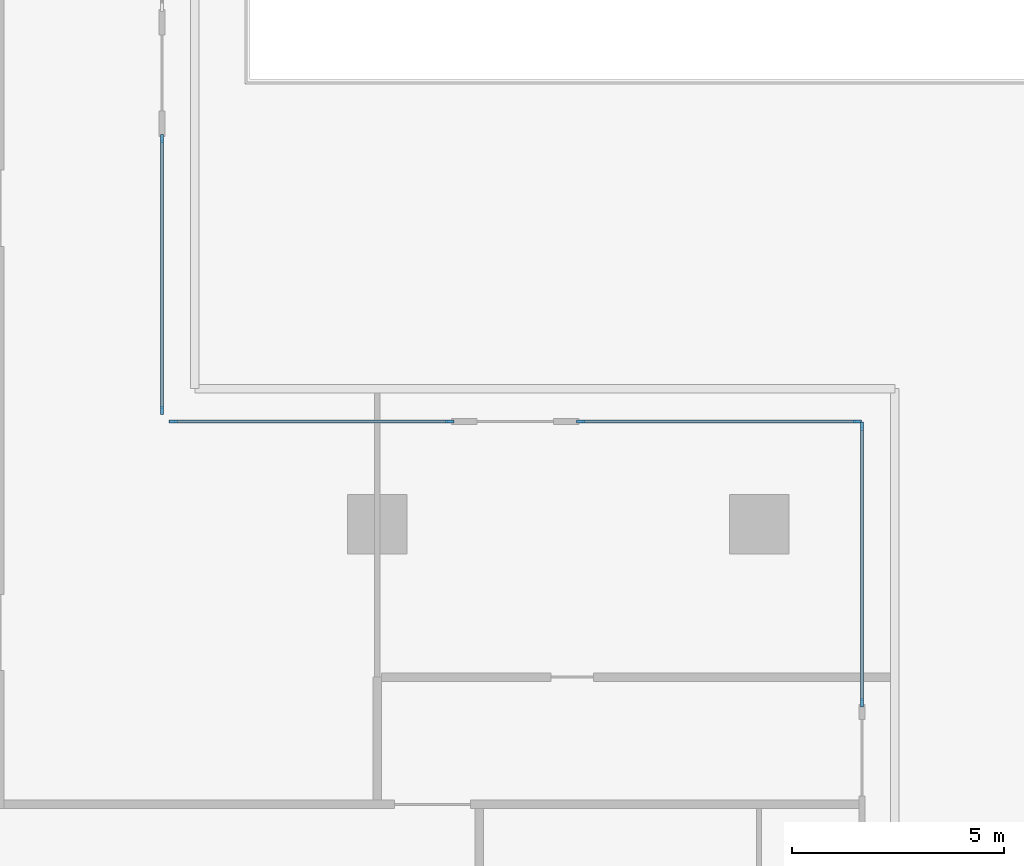
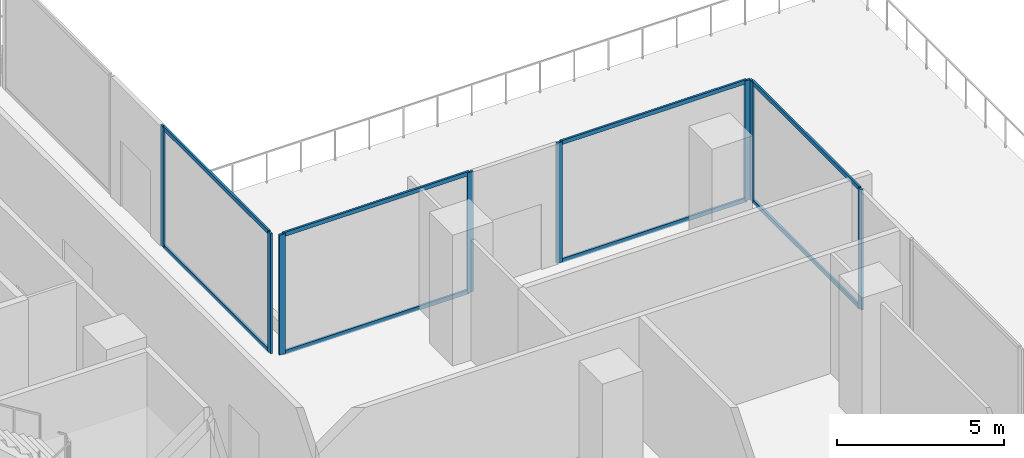
# One storey, part 6 of 25: 16 members, 4 elements without a shape of their own.
"""IFC4 building model written with IfcOpenShell, lengths in metres."""

import ifcopenshell
import ifcopenshell.guid

model = None  # the IFC model being written
_history = None  # IfcOwnerHistory: only IFC2X3 demands one
_inside = {}  # id of a spatial element -> (the spatial element, [elements in it])
_under = {}  # id of a project, library or spatial element -> (it, [spatial elements below it])
_declared = {}  # id of a project -> (the project, [libraries it declares])
_typed = {}  # id of a type object -> (the type object, [elements of that type])
_made_of = {}  # id of a material, layer set ... -> (it, [elements and type objects made of it])


def new_model(schema):
    """Start an empty IFC model of exactly this schema.

    Asked for "IFC4X3", IfcOpenShell would pick the latest addendum, in which some entities
    have other attributes; the version numbers below select the first issue.
    IFC2X3 requires an IfcOwnerHistory on every rooted entity: one is made here for all.
    """
    global model, _history
    if schema == "IFC4X3":
        model = ifcopenshell.file(schema_version=(4, 3, 0, 0))
    else:
        model = ifcopenshell.file(schema=schema)
    _inside.clear()
    _under.clear()
    _declared.clear()
    _typed.clear()
    _made_of.clear()
    _history = None
    if model.schema == "IFC2X3":
        org = make("IfcOrganization", Name="unknown")
        user = make(
            "IfcPersonAndOrganization",
            ThePerson=make("IfcPerson", FamilyName="unknown"),
            TheOrganization=org,
        )
        app = make(
            "IfcApplication",
            ApplicationDeveloper=org,
            Version="unknown",
            ApplicationFullName="unknown",
            ApplicationIdentifier="unknown",
        )
        _history = make(
            "IfcOwnerHistory",
            OwningUser=user,
            OwningApplication=app,
            ChangeAction="ADDED",
            CreationDate=0,
        )
    return model


def make(cls, **values):
    """One entity of the class cls with the attributes given. An attribute that is None is left unset."""
    return model.create_entity(
        cls, **{name: value for name, value in values.items() if value is not None}
    )


def rooted(cls, **values):
    """An entity with a GlobalId (a new one), such as an element, a storey or a relation."""
    return make(cls, GlobalId=ifcopenshell.guid.new(), OwnerHistory=_history, **values)


def si_unit(unit_type, name, prefix=None):
    """IfcSIUnit, for example si_unit("LENGTHUNIT", "METRE", prefix="MILLI")."""
    return make("IfcSIUnit", UnitType=unit_type, Prefix=prefix, Name=name)


def assignment(units):
    """IfcUnitAssignment: the units of a project."""
    return None if units is None else make("IfcUnitAssignment", Units=units)


def point(xyz):
    """IfcCartesianPoint."""
    return None if xyz is None else make("IfcCartesianPoint", Coordinates=xyz)


def direction(xyz):
    """IfcDirection."""
    return None if xyz is None else make("IfcDirection", DirectionRatios=xyz)


def frame(location, z_axis=None, x_axis=None):
    """IfcAxis2Placement3D, a coordinate frame: its origin and axes. An axis left out is left unset."""
    return make(
        "IfcAxis2Placement3D",
        Location=point(location),
        Axis=direction(z_axis),
        RefDirection=direction(x_axis),
    )


def frame_2d(location, x_axis=None):
    """IfcAxis2Placement2D, a coordinate frame in the plane: its origin and x axis."""
    return make(
        "IfcAxis2Placement2D", Location=point(location), RefDirection=direction(x_axis)
    )


def origin():
    """The frame at (0, 0, 0) with its axes left unset."""
    return frame((0.0, 0.0, 0.0))


def origin_2d():
    """The frame at (0, 0) in the plane with its x axis left unset."""
    return frame_2d((0.0, 0.0))


def place(relative_to, where):
    """IfcLocalPlacement: puts the frame where relative to a parent placement (None: the world)."""
    return make(
        "IfcLocalPlacement", PlacementRelTo=relative_to, RelativePlacement=where
    )


def context(
    kind, dimensions, precision=None, world=None, true_north=None, identifier=None
):
    """IfcGeometricRepresentationContext, for example the 3D "Model" context."""
    return make(
        "IfcGeometricRepresentationContext",
        ContextIdentifier=identifier,
        ContextType=kind,
        CoordinateSpaceDimension=dimensions,
        Precision=precision,
        WorldCoordinateSystem=world,
        TrueNorth=true_north,
    )


def subcontext(parent, identifier, kind, view, scale=None):
    """IfcGeometricRepresentationSubContext, for example "Body" below "Model"."""
    return make(
        "IfcGeometricRepresentationSubContext",
        ContextIdentifier=identifier,
        ContextType=kind,
        ParentContext=parent,
        TargetScale=scale,
        TargetView=view,
    )


def project(units=None, contexts=None):
    """IfcProject with its units and contexts."""
    return rooted(
        "IfcProject",
        Name="project",
        RepresentationContexts=contexts,
        UnitsInContext=assignment(units),
    )


def spatial(cls, under=None, at=None, **own):
    """A site, building, storey or space (cls), placed at a placement, below another one or the project."""
    s = rooted(cls, ObjectPlacement=at, **own)
    if under is not None:
        _under.setdefault(under.id(), (under, []))[1].append(s)
    return s


def profile(cls, at=None, kind="AREA", **sizes):
    """A parametric profile (cls). Its sizes go by their IFC names, for example OverallWidth=200.0."""
    return make(cls, ProfileType=kind, Position=at, **sizes)


def rectangle(**sizes):
    """IfcRectangleProfileDef."""
    return profile("IfcRectangleProfileDef", **sizes)


def extrude(swept, where, along, depth):
    """IfcExtrudedAreaSolid: the profile swept, set in the frame where, extruded along a direction by depth."""
    return make(
        "IfcExtrudedAreaSolid",
        SweptArea=swept,
        Position=where,
        ExtrudedDirection=direction(along),
        Depth=depth,
    )


def shape(context_of_items, identifier, shape_type, items):
    """IfcShapeRepresentation: the items that make up one representation, for example the "Body"."""
    return make(
        "IfcShapeRepresentation",
        ContextOfItems=context_of_items,
        RepresentationIdentifier=identifier,
        RepresentationType=shape_type,
        Items=items,
    )


def material(Name=None, Category=None):
    """IfcMaterial."""
    return make("IfcMaterial", Name=Name, Category=Category)


def layer(
    of_material, thickness, ventilated=None, Name=None, Category=None, Priority=None
):
    """IfcMaterialLayer: one layer of a wall or slab, of a material (None: an air gap)."""
    return make(
        "IfcMaterialLayer",
        Material=of_material,
        LayerThickness=thickness,
        IsVentilated=ventilated,
        Name=Name,
        Category=Category,
        Priority=Priority,
    )


def layer_set(layers, Name=None):
    """IfcMaterialLayerSet."""
    return make("IfcMaterialLayerSet", MaterialLayers=layers, LayerSetName=Name)


def material_profile(
    of_material, cross_section, Name=None, Category=None, Priority=None
):
    """IfcMaterialProfile: a cross section and its material."""
    return make(
        "IfcMaterialProfile",
        Name=Name,
        Material=of_material,
        Profile=cross_section,
        Priority=Priority,
        Category=Category,
    )


def profile_set(profiles, Name=None, composite=None):
    """IfcMaterialProfileSet."""
    return make(
        "IfcMaterialProfileSet",
        Name=Name,
        MaterialProfiles=profiles,
        CompositeProfile=composite,
    )


def made_of(thing, what):
    """Note that an element or type object is made of a material, layer set ...; save() writes the relation."""
    if what is not None:
        _made_of.setdefault(what.id(), (what, []))[1].append(thing)
    return thing


def type_object(cls, material=None, **own):
    """A type object (cls), such as IfcWallType, which elements share."""
    return made_of(rooted(cls, **own), material)


def element(
    cls,
    number,
    at=None,
    inside=None,
    cuts=None,
    type_object=None,
    material=None,
    context=None,
    identifier="Body",
    shape_type=None,
    held_by="IfcProductDefinitionShape",
    body=None,
    shapes=None,
    **own,
):
    """One element of the class cls, such as IfcWall. Its Tag is "e" and its number.

    at: its placement. inside: the storey or other place that contains it. cuts: it is an
    opening in that element (IfcRelVoidsElement). A single representation is given by context,
    identifier, shape_type and body (its items); several are given by shapes. held_by: the class
    of the entity that holds the representations. save() writes the other relations.
    """
    e = rooted(cls, Tag="e%d" % number, ObjectPlacement=at, **own)
    if body is not None:
        shapes = [shape(context, identifier, shape_type, body)]
    if shapes is not None:
        e.Representation = make(held_by, Representations=shapes)
    if inside is not None:
        _inside.setdefault(inside.id(), (inside, []))[1].append(e)
    if cuts is not None:
        rooted(
            "IfcRelVoidsElement", RelatingBuildingElement=cuts, RelatedOpeningElement=e
        )
    if type_object is not None:
        _typed.setdefault(type_object.id(), (type_object, []))[1].append(e)
    return made_of(e, material)


def aggregate(whole, parts):
    """IfcRelAggregates: a whole, such as a stair, and the parts it consists of."""
    return rooted("IfcRelAggregates", RelatingObject=whole, RelatedObjects=parts)


def save(model, path):
    """Write the relations noted so far, then the file.

    IfcRelAggregates (storeys below a building ...), IfcRelContainedInSpatialStructure (elements
    in a storey), IfcRelDefinesByType, IfcRelAssociatesMaterial and IfcRelDeclares: one each for
    every whole, place, type object, material and project.
    """
    for whole, parts in _under.values():
        aggregate(whole, parts)
    for where, things in _inside.values():
        rooted(
            "IfcRelContainedInSpatialStructure",
            RelatedElements=things,
            RelatingStructure=where,
        )
    for kind, things in _typed.values():
        rooted("IfcRelDefinesByType", RelatedObjects=things, RelatingType=kind)
    for what, things in _made_of.values():
        rooted("IfcRelAssociatesMaterial", RelatedObjects=things, RelatingMaterial=what)
    for by, libraries in _declared.values():
        rooted("IfcRelDeclares", RelatingContext=by, RelatedDefinitions=libraries)
    model.write(path)


model = new_model("IFC4")

# Units and contexts
model_context = context("Model", 3, precision=1e-05, world=origin(), true_north=direction((0.0, 1.0)))
body_context = subcontext(model_context, "Body", "Model", "MODEL_VIEW")
ifc_project = project(units=[si_unit("LENGTHUNIT", "METRE"), si_unit("AREAUNIT", "SQUARE_METRE"), si_unit("VOLUMEUNIT", "CUBIC_METRE"), si_unit("PLANEANGLEUNIT", "RADIAN"), si_unit("MASSUNIT", "GRAM", prefix="KILO")], contexts=[model_context])

# Site, building, storey
site_placement = place(None, origin())
site = spatial("IfcSite", under=ifc_project, at=site_placement, CompositionType="ELEMENT")
building_placement = place(site_placement, origin())
building = spatial("IfcBuilding", under=site, at=building_placement, Name="Chenar Terraces", CompositionType="ELEMENT")
storey_placement = place(building_placement, frame((0.0, 0.0, 21.60009765625)))
storey = spatial("IfcBuildingStorey", under=building, at=storey_placement, Name="L04", CompositionType="ELEMENT", Elevation=21.60009765625)

# Curtain wall, members
ifc_material_1 = material(Name="Aluminium framed glazing", Category="aluminium")
ifc_layer = layer(ifc_material_1, 0.14990234375)
ifc_layer_set = layer_set([ifc_layer], Name="Aluminium framed glazing")
curtain_wall_type = type_object("IfcCurtainWallType", Name="School curtain wall", PredefinedType="NOTDEFINED", material=ifc_layer_set)
placement = place(storey_placement, origin())
curtain_wall_1 = element("IfcCurtainWall", 1, at=placement, inside=storey, type_object=curtain_wall_type, Name="School curtain wall", PredefinedType="NOTDEFINED")
ifc_material_2 = material(Name="Aluminium", Category="aluminium")
ifc_material_profile_1 = material_profile(ifc_material_2, rectangle(XDim=0.070068359375, YDim=0.199951171875, at=origin_2d()), Name="School glazing mullion 70 x 200")
ifc_profile_set_1 = profile_set([ifc_material_profile_1], Name="Aluminium")
member_type_1 = type_object("IfcMemberType", Name="School glazing mullion 70 x 200", PredefinedType="MULLION", material=ifc_profile_set_1)
member_1_placement = place(storey_placement, frame((30.925048828125, 47.68505859375, 0.0), z_axis=(0.0, 0.0, 1.0), x_axis=(-1.0, 0.0, 0.0)))
member_1 = element("IfcMember", 2, at=member_1_placement, type_object=member_type_1, Name="CW2-01c0 mullion 1", PredefinedType="MULLION", context=body_context, shape_type="SweptSolid", body=[
    extrude(rectangle(XDim=0.070068359375, YDim=0.199951171875, at=origin_2d()), origin(), (0.0, 0.0, 1.0), 4.39990234375),
])
member_2_placement = place(storey_placement, frame((30.925048828125, 54.091552734375, 0.0), z_axis=(0.0, 0.0, 1.0), x_axis=(-1.0, 0.0, 0.0)))
member_2 = element("IfcMember", 3, at=member_2_placement, type_object=member_type_1, Name="CW2-01c0 mullion 2", PredefinedType="MULLION", context=body_context, shape_type="SweptSolid", body=[
    extrude(rectangle(XDim=0.070068359375, YDim=0.199951171875, at=origin_2d()), origin(), (0.0, 0.0, 1.0), 4.39990234375),
])

curtain_wall_2 = element("IfcCurtainWall", 4, at=placement, inside=storey, type_object=curtain_wall_type, Name="School curtain wall", PredefinedType="NOTDEFINED")
member_3_placement = place(storey_placement, frame((47.425048828125, 40.797607421875, 0.0), z_axis=(0.0, 0.0, 1.0), x_axis=(-1.0, 0.0, 0.0)))
member_3 = element("IfcMember", 5, at=member_3_placement, type_object=member_type_1, Name="CW2-12c1 mullion 1", PredefinedType="MULLION", context=body_context, shape_type="SweptSolid", body=[
    extrude(rectangle(XDim=0.070068359375, YDim=0.199951171875, at=origin_2d()), origin(), (0.0, 0.0, 1.0), 4.39990234375),
])
member_4_placement = place(storey_placement, frame((47.425048828125, 47.31494140625, 0.0), z_axis=(0.0, 0.0, 1.0), x_axis=(-1.0, 0.0, 0.0)))
member_4 = element("IfcMember", 6, at=member_4_placement, type_object=member_type_1, Name="CW2-12c1 mullion 2", PredefinedType="MULLION", context=body_context, shape_type="SweptSolid", body=[
    extrude(rectangle(XDim=0.070068359375, YDim=0.199951171875, at=origin_2d()), origin(), (0.0, 0.0, 1.0), 4.39990234375),
])

curtain_wall_3 = element("IfcCurtainWall", 7, at=placement, inside=storey, type_object=curtain_wall_type, Name="School curtain wall", PredefinedType="NOTDEFINED")
member_5_placement = place(storey_placement, frame((47.31494140625, 47.425048828125, 0.0), z_axis=(0.0, 0.0, 1.0), x_axis=(0.0, -1.0, 0.0)))
member_5 = element("IfcMember", 8, at=member_5_placement, type_object=member_type_1, Name="CW2-13c0 mullion 1", PredefinedType="MULLION", context=body_context, shape_type="SweptSolid", body=[
    extrude(rectangle(XDim=0.070068359375, YDim=0.199951171875, at=origin_2d()), origin(), (0.0, 0.0, 1.0), 4.39990234375),
])
member_6_placement = place(storey_placement, frame((40.797607421875, 47.425048828125, 0.0), z_axis=(0.0, 0.0, 1.0), x_axis=(0.0, -1.0, 0.0)))
member_6 = element("IfcMember", 9, at=member_6_placement, type_object=member_type_1, Name="CW2-13c0 mullion 2", PredefinedType="MULLION", context=body_context, shape_type="SweptSolid", body=[
    extrude(rectangle(XDim=0.070068359375, YDim=0.199951171875, at=origin_2d()), origin(), (0.0, 0.0, 1.0), 4.39990234375),
])

curtain_wall_4 = element("IfcCurtainWall", 10, at=placement, inside=storey, type_object=curtain_wall_type, Name="School curtain wall", PredefinedType="NOTDEFINED")
member_7_placement = place(storey_placement, frame((37.702392578125, 47.425048828125, 0.0), z_axis=(0.0, 0.0, 1.0), x_axis=(0.0, -1.0, 0.0)))
member_7 = element("IfcMember", 11, at=member_7_placement, type_object=member_type_1, Name="CW2-13c1 mullion 1", PredefinedType="MULLION", context=body_context, shape_type="SweptSolid", body=[
    extrude(rectangle(XDim=0.070068359375, YDim=0.199951171875, at=origin_2d()), origin(), (0.0, 0.0, 1.0), 4.39990234375),
])
member_8_placement = place(storey_placement, frame((31.18505859375, 47.425048828125, 0.0), z_axis=(0.0, 0.0, 1.0), x_axis=(0.0, -1.0, 0.0)))
member_8 = element("IfcMember", 12, at=member_8_placement, type_object=member_type_1, Name="CW2-13c1 mullion 2", PredefinedType="MULLION", context=body_context, shape_type="SweptSolid", body=[
    extrude(rectangle(XDim=0.070068359375, YDim=0.199951171875, at=origin_2d()), origin(), (0.0, 0.0, 1.0), 4.39990234375),
])

# Member
ifc_material_3 = material(Name="Aluminium", Category="aluminium")
ifc_material_profile_2 = material_profile(ifc_material_3, rectangle(XDim=0.070068359375, YDim=0.14990234375, at=origin_2d()), Name="School glazing transom 70 x 150")
ifc_profile_set_2 = profile_set([ifc_material_profile_2], Name="Aluminium")
member_type_2 = type_object("IfcMemberType", Name="School glazing transom 70 x 150", PredefinedType="USERDEFINED", material=ifc_profile_set_2)
member_9_placement = place(storey_placement, frame((30.925048828125, 47.719970703125, 0.034912109375), z_axis=(0.0, 1.0, 0.0), x_axis=(-1.0, 0.0, 0.0)))
member_9 = element("IfcMember", 13, at=member_9_placement, type_object=member_type_2, Name="CW2-01c0 transom 1.1", ObjectType="TRANSOM", PredefinedType="USERDEFINED", context=body_context, shape_type="SweptSolid", body=[
    extrude(rectangle(XDim=0.070068359375, YDim=0.14990234375, at=origin_2d()), origin(), (0.0, 0.0, 1.0), 6.336669921875),
])

member_10_placement = place(storey_placement, frame((30.925048828125, 47.719970703125, 4.364990234375), z_axis=(0.0, 1.0, 0.0), x_axis=(-1.0, 0.0, 0.0)))
member_10 = element("IfcMember", 14, at=member_10_placement, type_object=member_type_2, Name="CW2-01c0 transom 1.2", ObjectType="TRANSOM", PredefinedType="USERDEFINED", context=body_context, shape_type="SweptSolid", body=[
    extrude(rectangle(XDim=0.070068359375, YDim=0.14990234375, at=origin_2d()), origin(), (0.0, 0.0, 1.0), 6.336669921875),
])

aggregate(curtain_wall_1, [member_1, member_2, member_9, member_10])

member_11_placement = place(storey_placement, frame((47.425048828125, 40.83251953125, 0.034912109375), z_axis=(0.0, 1.0, 0.0), x_axis=(-1.0, 0.0, 0.0)))
member_11 = element("IfcMember", 15, at=member_11_placement, type_object=member_type_2, Name="CW2-12c1 transom 1.1", ObjectType="TRANSOM", PredefinedType="USERDEFINED", context=body_context, shape_type="SweptSolid", body=[
    extrude(rectangle(XDim=0.070068359375, YDim=0.14990234375, at=origin_2d()), origin(), (0.0, 0.0, 1.0), 6.447509765625),
])

member_12_placement = place(storey_placement, frame((47.425048828125, 40.83251953125, 4.364990234375), z_axis=(0.0, 1.0, 0.0), x_axis=(-1.0, 0.0, 0.0)))
member_12 = element("IfcMember", 16, at=member_12_placement, type_object=member_type_2, Name="CW2-12c1 transom 1.2", ObjectType="TRANSOM", PredefinedType="USERDEFINED", context=body_context, shape_type="SweptSolid", body=[
    extrude(rectangle(XDim=0.070068359375, YDim=0.14990234375, at=origin_2d()), origin(), (0.0, 0.0, 1.0), 6.447509765625),
])

aggregate(curtain_wall_2, [member_3, member_4, member_11, member_12])

member_13_placement = place(storey_placement, frame((47.280029296875, 47.425048828125, 0.034912109375), z_axis=(-1.0, 0.0, 0.0), x_axis=(0.0, -1.0, 0.0)))
member_13 = element("IfcMember", 17, at=member_13_placement, type_object=member_type_2, Name="CW2-13c0 transom 1.1", ObjectType="TRANSOM", PredefinedType="USERDEFINED", context=body_context, shape_type="SweptSolid", body=[
    extrude(rectangle(XDim=0.070068359375, YDim=0.14990234375, at=origin_2d()), origin(), (0.0, 0.0, 1.0), 6.447509765625),
])

member_14_placement = place(storey_placement, frame((47.280029296875, 47.425048828125, 4.364990234375), z_axis=(-1.0, 0.0, 0.0), x_axis=(0.0, -1.0, 0.0)))
member_14 = element("IfcMember", 18, at=member_14_placement, type_object=member_type_2, Name="CW2-13c0 transom 1.2", ObjectType="TRANSOM", PredefinedType="USERDEFINED", context=body_context, shape_type="SweptSolid", body=[
    extrude(rectangle(XDim=0.070068359375, YDim=0.14990234375, at=origin_2d()), origin(), (0.0, 0.0, 1.0), 6.447509765625),
])

aggregate(curtain_wall_3, [member_5, member_6, member_13, member_14])

member_15_placement = place(storey_placement, frame((37.66748046875, 47.425048828125, 0.034912109375), z_axis=(-1.0, 0.0, 0.0), x_axis=(0.0, -1.0, 0.0)))
member_15 = element("IfcMember", 19, at=member_15_placement, type_object=member_type_2, Name="CW2-13c1 transom 1.1", ObjectType="TRANSOM", PredefinedType="USERDEFINED", context=body_context, shape_type="SweptSolid", body=[
    extrude(rectangle(XDim=0.070068359375, YDim=0.14990234375, at=origin_2d()), origin(), (0.0, 0.0, 1.0), 6.447509765625),
])

member_16_placement = place(storey_placement, frame((37.66748046875, 47.425048828125, 4.364990234375), z_axis=(-1.0, 0.0, 0.0), x_axis=(0.0, -1.0, 0.0)))
member_16 = element("IfcMember", 20, at=member_16_placement, type_object=member_type_2, Name="CW2-13c1 transom 1.2", ObjectType="TRANSOM", PredefinedType="USERDEFINED", context=body_context, shape_type="SweptSolid", body=[
    extrude(rectangle(XDim=0.070068359375, YDim=0.14990234375, at=origin_2d()), origin(), (0.0, 0.0, 1.0), 6.447509765625),
])

aggregate(curtain_wall_4, [member_7, member_8, member_15, member_16])

save(model, "model.ifc")
